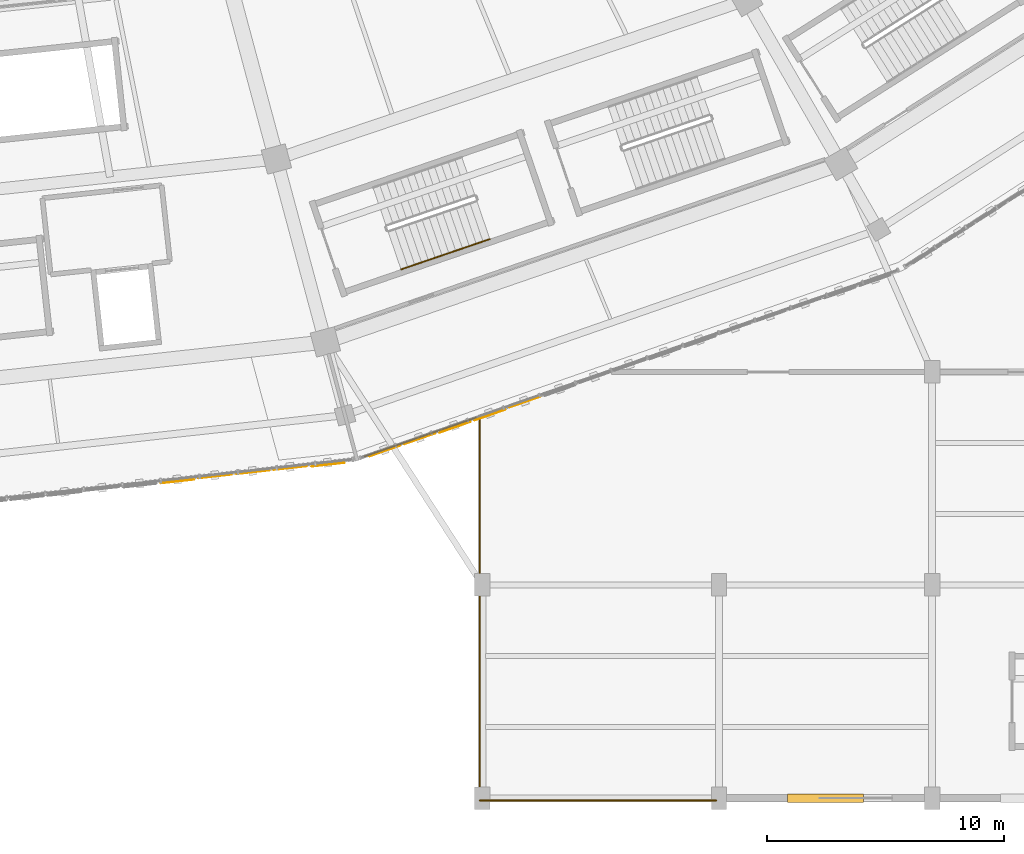
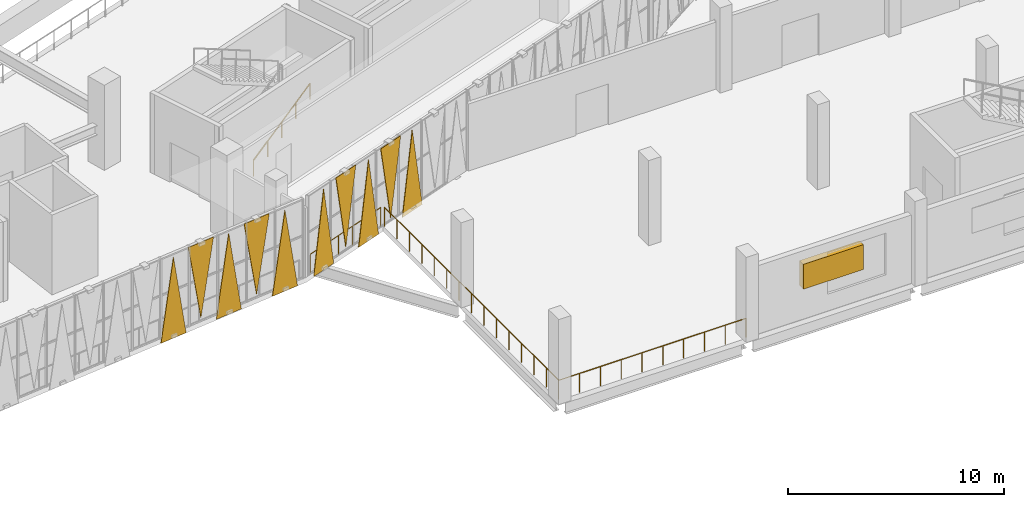
# One storey, part 142 of 179: 10 coverings, 4 railings, 1 shading device.
"""IFC4 building model written with IfcOpenShell, lengths in metres."""

from ifc_helpers import new_model, si_unit, direction, frame, origin, origin_2d, place, context, subcontext, project, spatial, polyline, rectangle, circle, outline, extrude, material, layer, layer_set, type_object, element, save


model = new_model("IFC4")

# Units and contexts
model_context = context("Model", 3, precision=1e-05, world=origin(), true_north=direction((0.0, 1.0)))
body_context = subcontext(model_context, "Body", "Model", "MODEL_VIEW")
ifc_project = project(units=[si_unit("LENGTHUNIT", "METRE"), si_unit("AREAUNIT", "SQUARE_METRE"), si_unit("VOLUMEUNIT", "CUBIC_METRE"), si_unit("PLANEANGLEUNIT", "RADIAN"), si_unit("MASSUNIT", "GRAM", prefix="KILO")], contexts=[model_context])

# Site, building, storey
site_placement = place(None, origin())
site = spatial("IfcSite", under=ifc_project, at=site_placement, CompositionType="ELEMENT")
building_placement = place(site_placement, origin())
building = spatial("IfcBuilding", under=site, at=building_placement, Name="Zevraka Park Crest Stadium", CompositionType="ELEMENT")
storey_placement = place(building_placement, frame((0.0, 0.0, 10.199951171875)))
storey = spatial("IfcBuildingStorey", under=building, at=storey_placement, Name="L02", CompositionType="ELEMENT", Elevation=10.199951171875)

# Coverings
ifc_material_1 = material(Name="Architectural golden-bronze perforated aluminium", Category="aluminium")
ifc_layer_1 = layer(ifc_material_1, 0.034912109375)
ifc_layer_set_1 = layer_set([ifc_layer_1], Name="Architectural golden-bronze perforated aluminium")
covering_type = type_object("IfcCoveringType", Name="CLD01", PredefinedType="CLADDING", material=ifc_layer_set_1)
covering_1_placement = place(storey_placement, frame((128.407958984375, 13.321044921875, -0.239990234375), z_axis=(-0.110468774198, 0.993879585984, 0.000135985296), x_axis=(0.993879595173, 0.110468775219, 0.0)))
element("IfcCovering", 1, at=covering_1_placement, inside=storey, type_object=covering_type, Name="Triangular Golden-Bronze Perforated Cladding L02-18-11", PredefinedType="CLADDING", context=body_context, shape_type="SweptSolid", body=[
    extrude(outline(polyline([(0.0, 0.0), (1.4387372953117465, 0.0), (0.7194225460590811, -4.560058635912304), (0.0, 0.0)])), origin(), (0.0, 0.0, -1.0), 0.034912109375),
])
covering_2_placement = place(storey_placement, frame((131.426025390625, 13.656005859375, 4.47998046875), z_axis=(0.110543347592, -0.993871295634, 0.000126558535), x_axis=(-0.993871303594, -0.110543348478, 0.0)))
element("IfcCovering", 2, at=covering_2_placement, inside=storey, type_object=covering_type, Name="Triangular Golden-Bronze Perforated Cladding L02-18-12", PredefinedType="CLADDING", context=body_context, shape_type="SweptSolid", body=[
    extrude(outline(polyline([(0.0, 0.0), (1.4377667138168417, -3.3881317890172014e-21), (0.7195574381169606, 4.260009799741423), (0.0, 0.0)])), origin(), (0.0, 0.0, -1.0), 0.034912109375),
])
covering_3_placement = place(storey_placement, frame((131.5849609375, 13.673095703125, -0.239990234375), z_axis=(0.110543348043, -0.993871299685, 8.8693756e-05), x_axis=(0.993871303594, 0.110543348478, 0.0)))
element("IfcCovering", 3, at=covering_3_placement, inside=storey, type_object=covering_type, Name="Triangular Golden-Bronze Perforated Cladding L02-18-13", PredefinedType="CLADDING", context=body_context, shape_type="SweptSolid", body=[
    extrude(outline(polyline([(0.0, 0.0), (1.4377667138168417, -1.6940658945086007e-21), (0.7185598725498578, 4.560058611686038), (0.0, 0.0)])), origin(), (0.0, 0.0, -1.0), 0.034912109375),
])
covering_4_placement = place(storey_placement, frame((134.60205078125, 14.008056640625, 4.47998046875), z_axis=(0.109872351224, -0.993945705899, 1.2739525e-05), x_axis=(-0.993945705979, -0.109872351233, 0.0)))
element("IfcCovering", 4, at=covering_4_placement, inside=storey, type_object=covering_type, Name="Triangular Golden-Bronze Perforated Cladding L02-18-14", PredefinedType="CLADDING", context=body_context, shape_type="SweptSolid", body=[
    extrude(outline(polyline([(0.0, 0.0), (1.4376590889512042, 4.235164736271502e-22), (0.7194496129425368, 4.260009765970691), (0.0, 0.0)])), origin(), (0.0, 0.0, -1.0), 0.034912109375),
])
covering_5_placement = place(storey_placement, frame((134.760986328125, 14.02587890625, -0.239990234375), z_axis=(-0.110711073396, 0.993852626665, 0.000121237977), x_axis=(0.993852633969, 0.110711074209, 0.0)))
element("IfcCovering", 5, at=covering_5_placement, inside=storey, type_object=covering_type, Name="Triangular Golden-Bronze Perforated Cladding L02-18-15", PredefinedType="CLADDING", context=body_context, shape_type="SweptSolid", body=[
    extrude(outline(polyline([(0.0, 0.0), (1.4377937224135535, 0.0), (0.7194494025731107, -4.560058627263347), (0.0, 0.0)])), origin(), (0.0, 0.0, -1.0), 0.034912109375),
])
covering_6_placement = place(storey_placement, frame((137.217041015625, 14.41796875, -0.239990234375), z_axis=(0.329321765518, -0.944217755746, 6.7012836e-05), x_axis=(0.944217757866, 0.329321766257, 0.0)))
element("IfcCovering", 6, at=covering_6_placement, inside=storey, type_object=covering_type, Name="Triangular Golden-Bronze Perforated Cladding L02-19-1", PredefinedType="CLADDING", context=body_context, shape_type="SweptSolid", body=[
    extrude(outline(polyline([(0.0, 0.0), (1.4063290467827976, -3.3881317890172014e-21), (0.7034003855809297, 4.560058603988973), (0.0, 0.0)])), origin(), (0.0, 0.0, -1.0), 0.034912109375),
])
covering_7_placement = place(storey_placement, frame((140.02392578125, 15.39794921875, 4.47998046875), z_axis=(0.329785968145, -0.944055726705, 9.449996e-06), x_axis=(-0.944055726748, -0.32978596816, 0.0)))
element("IfcCovering", 7, at=covering_7_placement, inside=storey, type_object=covering_type, Name="Triangular Golden-Bronze Perforated Cladding L02-19-2", PredefinedType="CLADDING", context=body_context, shape_type="SweptSolid", body=[
    extrude(outline(polyline([(0.0, 0.0), (1.4065704192587192, -8.470329472543003e-22), (0.7031699684517781, 4.260009765815215), (0.0, 0.0)])), origin(), (0.0, 0.0, -1.0), 0.034912109375),
])
covering_8_placement = place(storey_placement, frame((140.175048828125, 15.449951171875, -0.239990234375), z_axis=(-0.329940648814, 0.944001677486, 3.410275e-05), x_axis=(0.944001678035, 0.329940649006, 0.0)))
element("IfcCovering", 8, at=covering_8_placement, inside=storey, type_object=covering_type, Name="Triangular Golden-Bronze Perforated Cladding L02-19-3", PredefinedType="CLADDING", context=body_context, shape_type="SweptSolid", body=[
    extrude(outline(polyline([(0.0, 0.0), (1.4066509522935817, 0.0), (0.7034004347684985, -4.560058596401669), (0.0, 0.0)])), origin(), (0.0, 0.0, -1.0), 0.034912109375),
])
covering_9_placement = place(storey_placement, frame((142.98193359375, 16.429931640625, 4.47998046875), z_axis=(-0.329166977583, 0.94427172525, 9.8799929e-05), x_axis=(-0.944271729859, -0.32916697919, 0.0)))
element("IfcCovering", 9, at=covering_9_placement, inside=storey, type_object=covering_type, Name="Triangular Golden-Bronze Perforated Cladding L02-19-4", PredefinedType="CLADDING", context=body_context, shape_type="SweptSolid", body=[
    extrude(outline(polyline([(0.0, 0.0), (1.4062486648553232, 6.776263578034403e-21), (0.7028483388184553, -4.2600097864168855), (0.0, 0.0)])), origin(), (0.0, 0.0, -1.0), 0.034912109375),
])
covering_10_placement = place(storey_placement, frame((143.133056640625, 16.48291015625, -0.239990234375), z_axis=(0.329940648962, -0.944001677908, 1.6438083e-05), x_axis=(0.944001678035, 0.329940649006, 0.0)))
element("IfcCovering", 10, at=covering_10_placement, inside=storey, type_object=covering_type, Name="Triangular Golden-Bronze Perforated Cladding L02-19-5", PredefinedType="CLADDING", context=body_context, shape_type="SweptSolid", body=[
    extrude(outline(polyline([(0.0, 0.0), (1.4066509522935817, -8.470329472543003e-22), (0.7034809866847597, 4.5600585943660885), (0.0, 0.0)])), origin(), (0.0, 0.0, -1.0), 0.034912109375),
])

# Railings
ifc_material_2 = material(Name="Galvanised and bronze-finished steel balustrade", Category="steel")
railing_type_1 = type_object("IfcRailingType", Name="GR01", PredefinedType="GUARDRAIL", material=ifc_material_2)
railing_1_placement = place(storey_placement, frame((151.884033203125, -0.10498046875, 0.0)))
element("IfcRailing", 11, at=railing_1_placement, inside=storey, type_object=railing_type_1, Name="Deck Edge Protection Guardrail GR01 L02-30", PredefinedType="GUARDRAIL", context=body_context, shape_type="SweptSolid", body=[
    extrude(circle(Radius=0.02392578125, at=origin_2d()), frame((0.0, 0.0, 1.076171875), z_axis=(-1.0, 0.0, 0.0), x_axis=(0.0, -1.0, 0.0)), (0.0, 0.0, 1.0), 9.989013671875),
    extrude(circle(Radius=0.02099609375, at=origin_2d()), origin(), (0.0, 0.0, 1.0), 1.052001953125),
    extrude(circle(Radius=0.02099609375, at=origin_2d()), frame((-1.10986328125, 0.0, 0.0)), (0.0, 0.0, 1.0), 1.052001953125),
    extrude(circle(Radius=0.02099609375, at=origin_2d()), frame((-2.2197265625, 0.0, 0.0)), (0.0, 0.0, 1.0), 1.052001953125),
    extrude(circle(Radius=0.02099609375, at=origin_2d()), frame((-3.32958984375, 0.0, 0.0)), (0.0, 0.0, 1.0), 1.052001953125),
    extrude(circle(Radius=0.02099609375, at=origin_2d()), frame((-4.439453125, 0.0, 0.0)), (0.0, 0.0, 1.0), 1.052001953125),
    extrude(circle(Radius=0.02099609375, at=origin_2d()), frame((-5.549560546875, 0.0, 0.0)), (0.0, 0.0, 1.0), 1.052001953125),
    extrude(circle(Radius=0.02099609375, at=origin_2d()), frame((-6.659423828125, 0.0, 0.0)), (0.0, 0.0, 1.0), 1.052001953125),
    extrude(circle(Radius=0.02099609375, at=origin_2d()), frame((-7.769287109375, 0.0, 0.0)), (0.0, 0.0, 1.0), 1.052001953125),
    extrude(circle(Radius=0.02099609375, at=origin_2d()), frame((-8.879150390625, 0.0, 0.0)), (0.0, 0.0, 1.0), 1.052001953125),
    extrude(circle(Radius=0.02099609375, at=origin_2d()), frame((-9.989013671875, 0.0, 0.0)), (0.0, 0.0, 1.0), 1.052001953125),
])
railing_2_placement = place(storey_placement, frame((141.89501953125, -0.10498046875, 0.0)))
element("IfcRailing", 12, at=railing_2_placement, inside=storey, type_object=railing_type_1, Name="Deck Edge Protection Guardrail GR01 L02-31", PredefinedType="GUARDRAIL", context=body_context, shape_type="SweptSolid", body=[
    extrude(circle(Radius=0.02392578125, at=origin_2d()), frame((0.0, 0.0, 1.076171875), z_axis=(-0.000440060655, 0.999999903173, 0.0), x_axis=(-0.999999903173, -0.000440060655, 0.0)), (0.0, 0.0, 1.0), 16.0888671875),
    extrude(circle(Radius=0.02099609375, at=origin_2d()), origin(), (0.0, 0.0, 1.0), 1.052001953125),
    extrude(circle(Radius=0.02099609375, at=origin_2d()), frame((-0.00048828125, 1.149169921875, 0.0)), (0.0, 0.0, 1.0), 1.052001953125),
    extrude(circle(Radius=0.02099609375, at=origin_2d()), frame((-0.0009765625, 2.29833984375, 0.0)), (0.0, 0.0, 1.0), 1.052001953125),
    extrude(circle(Radius=0.02099609375, at=origin_2d()), frame((-0.00146484375, 3.447509765625, 0.0)), (0.0, 0.0, 1.0), 1.052001953125),
    extrude(circle(Radius=0.02099609375, at=origin_2d()), frame((-0.001953125, 4.596923828125, 0.0)), (0.0, 0.0, 1.0), 1.052001953125),
    extrude(circle(Radius=0.02099609375, at=origin_2d()), frame((-0.00244140625, 5.74609375, 0.0)), (0.0, 0.0, 1.0), 1.052001953125),
    extrude(circle(Radius=0.02099609375, at=origin_2d()), frame((-0.0029296875, 6.895263671875, 0.0)), (0.0, 0.0, 1.0), 1.052001953125),
    extrude(circle(Radius=0.02099609375, at=origin_2d()), frame((-0.00341796875, 8.04443359375, 0.0)), (0.0, 0.0, 1.0), 1.052001953125),
    extrude(circle(Radius=0.02099609375, at=origin_2d()), frame((-0.004150390625, 9.193603515625, 0.0)), (0.0, 0.0, 1.0), 1.052001953125),
    extrude(circle(Radius=0.02099609375, at=origin_2d()), frame((-0.004638671875, 10.3427734375, 0.0)), (0.0, 0.0, 1.0), 1.052001953125),
    extrude(circle(Radius=0.02099609375, at=origin_2d()), frame((-0.005126953125, 11.491943359375, 0.0)), (0.0, 0.0, 1.0), 1.052001953125),
    extrude(circle(Radius=0.02099609375, at=origin_2d()), frame((-0.005615234375, 12.641357421875, 0.0)), (0.0, 0.0, 1.0), 1.052001953125),
    extrude(circle(Radius=0.02099609375, at=origin_2d()), frame((-0.006103515625, 13.79052734375, 0.0)), (0.0, 0.0, 1.0), 1.052001953125),
    extrude(circle(Radius=0.02099609375, at=origin_2d()), frame((-0.006591796875, 14.939697265625, 0.0)), (0.0, 0.0, 1.0), 1.052001953125),
    extrude(circle(Radius=0.02099609375, at=origin_2d()), frame((-0.007080078125, 16.0888671875, 0.0)), (0.0, 0.0, 1.0), 1.052001953125),
])
railing_3_placement = place(storey_placement, frame((141.72509765625, 16.06591796875, 0.0)))
element("IfcRailing", 13, at=railing_3_placement, inside=storey, type_object=railing_type_1, Name="Deck Edge Protection Guardrail GR01 L02-32", PredefinedType="GUARDRAIL", context=body_context, shape_type="SweptSolid", body=[
    extrude(circle(Radius=0.02392578125, at=origin_2d()), frame((0.0, 0.0, 1.076171875), z_axis=(-0.944131277369, -0.329569614943, 0.0), x_axis=(0.329569614943, -0.944131277369, 0.0)), (0.0, 0.0, 1.0), 4.972900390625),
    extrude(circle(Radius=0.02099609375, at=origin_2d()), origin(), (0.0, 0.0, 1.0), 1.052001953125),
    extrude(circle(Radius=0.02099609375, at=origin_2d()), frame((-0.93896484375, -0.327880859375, 0.0)), (0.0, 0.0, 1.0), 1.052001953125),
    extrude(circle(Radius=0.02099609375, at=origin_2d()), frame((-1.8779296875, -0.655517578125, 0.0)), (0.0, 0.0, 1.0), 1.052001953125),
    extrude(circle(Radius=0.02099609375, at=origin_2d()), frame((-2.817138671875, -0.9833984375, 0.0)), (0.0, 0.0, 1.0), 1.052001953125),
    extrude(circle(Radius=0.02099609375, at=origin_2d()), frame((-3.756103515625, -1.31103515625, 0.0)), (0.0, 0.0, 1.0), 1.052001953125),
    extrude(circle(Radius=0.02099609375, at=origin_2d()), frame((-4.695068359375, -1.638916015625, 0.0)), (0.0, 0.0, 1.0), 1.052001953125),
])
ifc_material_3 = material(Name="Brushed stainless steel continuous handrail", Category="steel")
railing_type_2 = type_object("IfcRailingType", Name="HR01", PredefinedType="HANDRAIL", material=ifc_material_3)
railing_4_placement = place(storey_placement, frame((138.56689453125, 22.328125, 0.17138671875)))
element("IfcRailing", 14, at=railing_4_placement, inside=storey, type_object=railing_type_2, Name="L02 ST20 stair handrail 1", PredefinedType="HANDRAIL", context=body_context, shape_type="SweptSolid", body=[
    extrude(circle(Radius=0.02392578125, at=origin_2d()), frame((0.0, 0.0, 0.8759765625), z_axis=(0.824705104737, 0.282433990311, 0.489992378857), x_axis=(-0.32399372979, 0.946059228091, 0.0)), (0.0, 0.0, 1.0), 4.548583984375),
    extrude(circle(Radius=0.02099609375, at=origin_2d()), origin(), (0.0, 0.0, 1.0), 0.851806640625),
    extrude(circle(Radius=0.02099609375, at=origin_2d()), frame((0.937744140625, 0.3212890625, 0.55712890625)), (0.0, 0.0, 1.0), 0.851806640625),
    extrude(circle(Radius=0.02099609375, at=origin_2d()), frame((1.87548828125, 0.642333984375, 1.1142578125)), (0.0, 0.0, 1.0), 0.851806640625),
    extrude(circle(Radius=0.02099609375, at=origin_2d()), frame((2.8134765625, 0.96337890625, 1.671630859375)), (0.0, 0.0, 1.0), 0.851806640625),
    extrude(circle(Radius=0.02099609375, at=origin_2d()), frame((3.751220703125, 1.28466796875, 2.228759765625)), (0.0, 0.0, 1.0), 0.851806640625),
])

# Shading device
ifc_material_4 = material(Name="Terracotta and bronze acoustic ventilation louvre", Category="masonry")
ifc_layer_2 = layer(ifc_material_4, 0.080078125)
ifc_layer_set_2 = layer_set([ifc_layer_2], Name="Terracotta and bronze acoustic ventilation louvre")
shading_device_type = type_object("IfcShadingDeviceType", Name="LVR01", PredefinedType="USERDEFINED", material=ifc_layer_set_2)
shading_device_placement = place(storey_placement, frame((156.5, 0.0, 1.7001953125), z_axis=(0.0, 0.0, 1.0), x_axis=(-1.0, 0.0, 0.0)))
element("IfcShadingDevice", 15, at=shading_device_placement, inside=storey, type_object=shading_device_type, Name="Plant Ventilation Louvre LVR01 L02-8", ObjectType="LOUVRE", PredefinedType="USERDEFINED", context=body_context, shape_type="SweptSolid", body=[
    extrude(rectangle(XDim=3.199951171875, YDim=0.360107421875, at=origin_2d()), origin(), (0.0, 0.0, 1.0), 1.39990234375),
])

save(model, "model.ifc")
